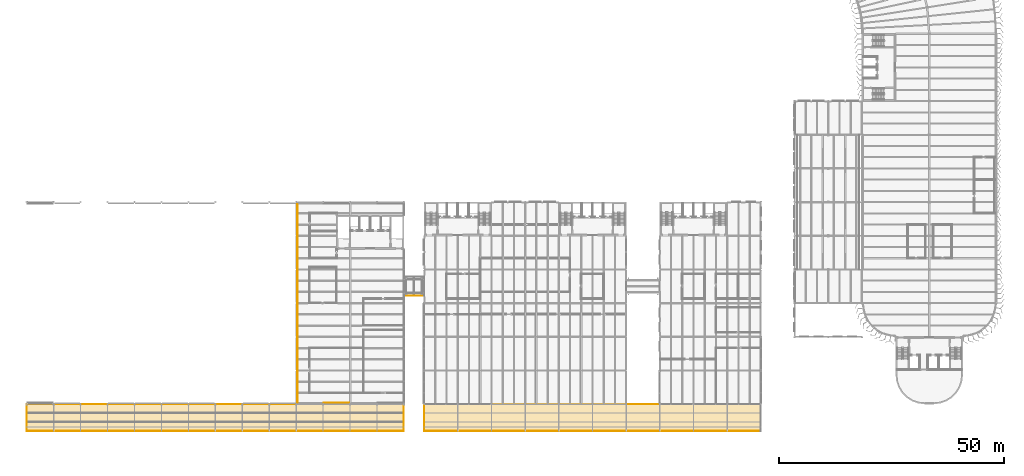
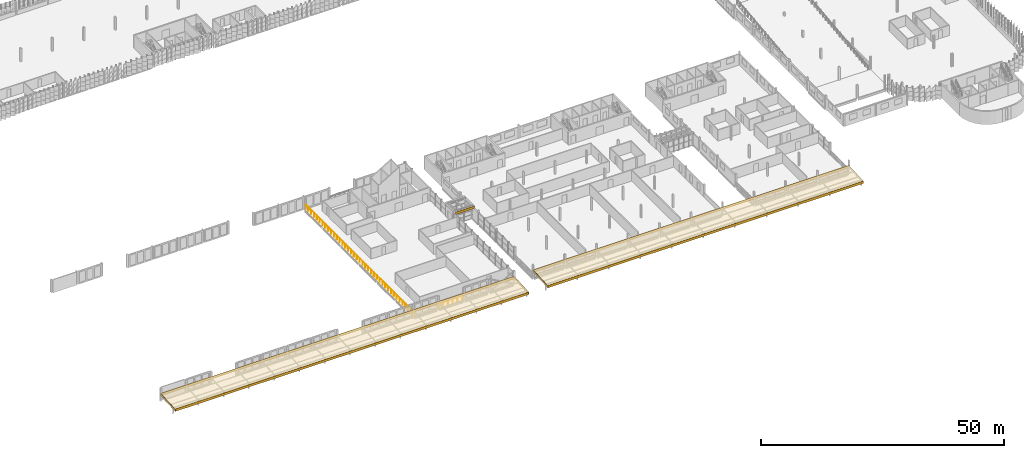
# One storey, part 194 of 214: 10 coverings, 2 railings.
"""IFC4 building model written with IfcOpenShell, lengths in metres."""

import ifcopenshell
import ifcopenshell.guid

model = None  # the IFC model being written
_history = None  # IfcOwnerHistory: only IFC2X3 demands one
_inside = {}  # id of a spatial element -> (the spatial element, [elements in it])
_under = {}  # id of a project, library or spatial element -> (it, [spatial elements below it])
_declared = {}  # id of a project -> (the project, [libraries it declares])
_typed = {}  # id of a type object -> (the type object, [elements of that type])
_made_of = {}  # id of a material, layer set ... -> (it, [elements and type objects made of it])


def new_model(schema):
    """Start an empty IFC model of exactly this schema.

    Asked for "IFC4X3", IfcOpenShell would pick the latest addendum, in which some entities
    have other attributes; the version numbers below select the first issue.
    IFC2X3 requires an IfcOwnerHistory on every rooted entity: one is made here for all.
    """
    global model, _history
    if schema == "IFC4X3":
        model = ifcopenshell.file(schema_version=(4, 3, 0, 0))
    else:
        model = ifcopenshell.file(schema=schema)
    _inside.clear()
    _under.clear()
    _declared.clear()
    _typed.clear()
    _made_of.clear()
    _history = None
    if model.schema == "IFC2X3":
        org = make("IfcOrganization", Name="unknown")
        user = make(
            "IfcPersonAndOrganization",
            ThePerson=make("IfcPerson", FamilyName="unknown"),
            TheOrganization=org,
        )
        app = make(
            "IfcApplication",
            ApplicationDeveloper=org,
            Version="unknown",
            ApplicationFullName="unknown",
            ApplicationIdentifier="unknown",
        )
        _history = make(
            "IfcOwnerHistory",
            OwningUser=user,
            OwningApplication=app,
            ChangeAction="ADDED",
            CreationDate=0,
        )
    return model


def make(cls, **values):
    """One entity of the class cls with the attributes given. An attribute that is None is left unset."""
    return model.create_entity(
        cls, **{name: value for name, value in values.items() if value is not None}
    )


def rooted(cls, **values):
    """An entity with a GlobalId (a new one), such as an element, a storey or a relation."""
    return make(cls, GlobalId=ifcopenshell.guid.new(), OwnerHistory=_history, **values)


def si_unit(unit_type, name, prefix=None):
    """IfcSIUnit, for example si_unit("LENGTHUNIT", "METRE", prefix="MILLI")."""
    return make("IfcSIUnit", UnitType=unit_type, Prefix=prefix, Name=name)


def assignment(units):
    """IfcUnitAssignment: the units of a project."""
    return None if units is None else make("IfcUnitAssignment", Units=units)


def point(xyz):
    """IfcCartesianPoint."""
    return None if xyz is None else make("IfcCartesianPoint", Coordinates=xyz)


def direction(xyz):
    """IfcDirection."""
    return None if xyz is None else make("IfcDirection", DirectionRatios=xyz)


def frame(location, z_axis=None, x_axis=None):
    """IfcAxis2Placement3D, a coordinate frame: its origin and axes. An axis left out is left unset."""
    return make(
        "IfcAxis2Placement3D",
        Location=point(location),
        Axis=direction(z_axis),
        RefDirection=direction(x_axis),
    )


def frame_2d(location, x_axis=None):
    """IfcAxis2Placement2D, a coordinate frame in the plane: its origin and x axis."""
    return make(
        "IfcAxis2Placement2D", Location=point(location), RefDirection=direction(x_axis)
    )


def origin():
    """The frame at (0, 0, 0) with its axes left unset."""
    return frame((0.0, 0.0, 0.0))


def origin_2d():
    """The frame at (0, 0) in the plane with its x axis left unset."""
    return frame_2d((0.0, 0.0))


def place(relative_to, where):
    """IfcLocalPlacement: puts the frame where relative to a parent placement (None: the world)."""
    return make(
        "IfcLocalPlacement", PlacementRelTo=relative_to, RelativePlacement=where
    )


def context(
    kind, dimensions, precision=None, world=None, true_north=None, identifier=None
):
    """IfcGeometricRepresentationContext, for example the 3D "Model" context."""
    return make(
        "IfcGeometricRepresentationContext",
        ContextIdentifier=identifier,
        ContextType=kind,
        CoordinateSpaceDimension=dimensions,
        Precision=precision,
        WorldCoordinateSystem=world,
        TrueNorth=true_north,
    )


def subcontext(parent, identifier, kind, view, scale=None):
    """IfcGeometricRepresentationSubContext, for example "Body" below "Model"."""
    return make(
        "IfcGeometricRepresentationSubContext",
        ContextIdentifier=identifier,
        ContextType=kind,
        ParentContext=parent,
        TargetScale=scale,
        TargetView=view,
    )


def project(units=None, contexts=None):
    """IfcProject with its units and contexts."""
    return rooted(
        "IfcProject",
        Name="project",
        RepresentationContexts=contexts,
        UnitsInContext=assignment(units),
    )


def spatial(cls, under=None, at=None, **own):
    """A site, building, storey or space (cls), placed at a placement, below another one or the project."""
    s = rooted(cls, ObjectPlacement=at, **own)
    if under is not None:
        _under.setdefault(under.id(), (under, []))[1].append(s)
    return s


def polyline(points):
    """IfcPolyline through the points."""
    return make("IfcPolyline", Points=[point(p) for p in points])


def profile(cls, at=None, kind="AREA", **sizes):
    """A parametric profile (cls). Its sizes go by their IFC names, for example OverallWidth=200.0."""
    return make(cls, ProfileType=kind, Position=at, **sizes)


def circle(**sizes):
    """IfcCircleProfileDef."""
    return profile("IfcCircleProfileDef", **sizes)


def outline(outer, holes=None, kind="AREA"):
    """IfcArbitraryClosedProfileDef: a profile drawn as a closed curve; with holes, ...WithVoids."""
    if holes is None:
        return make("IfcArbitraryClosedProfileDef", ProfileType=kind, OuterCurve=outer)
    return make(
        "IfcArbitraryProfileDefWithVoids",
        ProfileType=kind,
        OuterCurve=outer,
        InnerCurves=holes,
    )


def extrude(swept, where, along, depth):
    """IfcExtrudedAreaSolid: the profile swept, set in the frame where, extruded along a direction by depth."""
    return make(
        "IfcExtrudedAreaSolid",
        SweptArea=swept,
        Position=where,
        ExtrudedDirection=direction(along),
        Depth=depth,
    )


def shape(context_of_items, identifier, shape_type, items):
    """IfcShapeRepresentation: the items that make up one representation, for example the "Body"."""
    return make(
        "IfcShapeRepresentation",
        ContextOfItems=context_of_items,
        RepresentationIdentifier=identifier,
        RepresentationType=shape_type,
        Items=items,
    )


def material(Name=None, Category=None):
    """IfcMaterial."""
    return make("IfcMaterial", Name=Name, Category=Category)


def layer(
    of_material, thickness, ventilated=None, Name=None, Category=None, Priority=None
):
    """IfcMaterialLayer: one layer of a wall or slab, of a material (None: an air gap)."""
    return make(
        "IfcMaterialLayer",
        Material=of_material,
        LayerThickness=thickness,
        IsVentilated=ventilated,
        Name=Name,
        Category=Category,
        Priority=Priority,
    )


def layer_set(layers, Name=None):
    """IfcMaterialLayerSet."""
    return make("IfcMaterialLayerSet", MaterialLayers=layers, LayerSetName=Name)


def made_of(thing, what):
    """Note that an element or type object is made of a material, layer set ...; save() writes the relation."""
    if what is not None:
        _made_of.setdefault(what.id(), (what, []))[1].append(thing)
    return thing


def type_object(cls, material=None, **own):
    """A type object (cls), such as IfcWallType, which elements share."""
    return made_of(rooted(cls, **own), material)


def element(
    cls,
    number,
    at=None,
    inside=None,
    cuts=None,
    type_object=None,
    material=None,
    context=None,
    identifier="Body",
    shape_type=None,
    held_by="IfcProductDefinitionShape",
    body=None,
    shapes=None,
    **own,
):
    """One element of the class cls, such as IfcWall. Its Tag is "e" and its number.

    at: its placement. inside: the storey or other place that contains it. cuts: it is an
    opening in that element (IfcRelVoidsElement). A single representation is given by context,
    identifier, shape_type and body (its items); several are given by shapes. held_by: the class
    of the entity that holds the representations. save() writes the other relations.
    """
    e = rooted(cls, Tag="e%d" % number, ObjectPlacement=at, **own)
    if body is not None:
        shapes = [shape(context, identifier, shape_type, body)]
    if shapes is not None:
        e.Representation = make(held_by, Representations=shapes)
    if inside is not None:
        _inside.setdefault(inside.id(), (inside, []))[1].append(e)
    if cuts is not None:
        rooted(
            "IfcRelVoidsElement", RelatingBuildingElement=cuts, RelatedOpeningElement=e
        )
    if type_object is not None:
        _typed.setdefault(type_object.id(), (type_object, []))[1].append(e)
    return made_of(e, material)


def aggregate(whole, parts):
    """IfcRelAggregates: a whole, such as a stair, and the parts it consists of."""
    return rooted("IfcRelAggregates", RelatingObject=whole, RelatedObjects=parts)


def save(model, path):
    """Write the relations noted so far, then the file.

    IfcRelAggregates (storeys below a building ...), IfcRelContainedInSpatialStructure (elements
    in a storey), IfcRelDefinesByType, IfcRelAssociatesMaterial and IfcRelDeclares: one each for
    every whole, place, type object, material and project.
    """
    for whole, parts in _under.values():
        aggregate(whole, parts)
    for where, things in _inside.values():
        rooted(
            "IfcRelContainedInSpatialStructure",
            RelatedElements=things,
            RelatingStructure=where,
        )
    for kind, things in _typed.values():
        rooted("IfcRelDefinesByType", RelatedObjects=things, RelatingType=kind)
    for what, things in _made_of.values():
        rooted("IfcRelAssociatesMaterial", RelatedObjects=things, RelatingMaterial=what)
    for by, libraries in _declared.values():
        rooted("IfcRelDeclares", RelatingContext=by, RelatedDefinitions=libraries)
    model.write(path)


model = new_model("IFC4")

# Units and contexts
model_context = context("Model", 3, precision=1e-05, world=origin(), true_north=direction((0.0, 1.0)))
body_context = subcontext(model_context, "Body", "Model", "MODEL_VIEW")
ifc_project = project(units=[si_unit("LENGTHUNIT", "METRE"), si_unit("AREAUNIT", "SQUARE_METRE"), si_unit("VOLUMEUNIT", "CUBIC_METRE"), si_unit("PLANEANGLEUNIT", "RADIAN"), si_unit("MASSUNIT", "GRAM", prefix="KILO")], contexts=[model_context])

# Site, building, storey
site_placement = place(None, origin())
site = spatial("IfcSite", under=ifc_project, at=site_placement, CompositionType="ELEMENT")
building_placement = place(site_placement, origin())
building = spatial("IfcBuilding", under=site, at=building_placement, Name="Parallax Yard Mobility Hub", CompositionType="ELEMENT")
storey_placement = place(building_placement, frame((0.0, 0.0, 3.300048828125)))
storey = spatial("IfcBuildingStorey", under=building, at=storey_placement, Name="L01", CompositionType="ELEMENT", Elevation=3.300048828125)

# Railings
ifc_material_1 = material(Name="Steel ASTM A36", Category="steel")
railing_type = type_object("IfcRailingType", Name="Mezzanine edge guard 1100", PredefinedType="GUARDRAIL", material=ifc_material_1)
railing_1_placement = place(storey_placement, frame((75.1865234375, 7.800048828125, 0.0)))
element("IfcRailing", 1, at=railing_1_placement, inside=storey, type_object=railing_type, Name="Bus deck mezzanine south edge guard level L01", PredefinedType="GUARDRAIL", context=body_context, shape_type="SweptSolid", body=[
    extrude(circle(Radius=0.02392578125, at=origin_2d()), frame((0.0, 0.0, 1.076171875), z_axis=(1.0, 0.0, 0.0), x_axis=(0.0, 1.0, 0.0)), (0.0, 0.0, 1.0), 5.626953125),
    extrude(circle(Radius=0.02099609375, at=origin_2d()), origin(), (0.0, 0.0, 1.0), 1.052001953125),
    extrude(circle(Radius=0.02099609375, at=origin_2d()), frame((1.12548828125, 0.0, 0.0)), (0.0, 0.0, 1.0), 1.052001953125),
    extrude(circle(Radius=0.02099609375, at=origin_2d()), frame((2.250732421875, 0.0, 0.0)), (0.0, 0.0, 1.0), 1.052001953125),
    extrude(circle(Radius=0.02099609375, at=origin_2d()), frame((3.376220703125, 0.0, 0.0)), (0.0, 0.0, 1.0), 1.052001953125),
    extrude(circle(Radius=0.02099609375, at=origin_2d()), frame((4.50146484375, 0.0, 0.0)), (0.0, 0.0, 1.0), 1.052001953125),
    extrude(circle(Radius=0.02099609375, at=origin_2d()), frame((5.626953125, 0.0, 0.0)), (0.0, 0.0, 1.0), 1.052001953125),
])
railing_2_placement = place(storey_placement, frame((69.300048828125, 7.6865234375, 0.0)))
element("IfcRailing", 2, at=railing_2_placement, inside=storey, type_object=railing_type, Name="Bus deck mezzanine west edge guard level L01", PredefinedType="GUARDRAIL", context=body_context, shape_type="SweptSolid", body=[
    extrude(circle(Radius=0.02392578125, at=origin_2d()), frame((0.0, 0.0, 1.076171875), z_axis=(0.0, 1.0, 0.0), x_axis=(-1.0, 0.0, 0.0)), (0.0, 0.0, 1.0), 44.626953125),
    extrude(circle(Radius=0.02099609375, at=origin_2d()), origin(), (0.0, 0.0, 1.0), 1.052001953125),
    extrude(circle(Radius=0.02099609375, at=origin_2d()), frame((0.0, 1.17431640625, 0.0)), (0.0, 0.0, 1.0), 1.052001953125),
    extrude(circle(Radius=0.02099609375, at=origin_2d()), frame((0.0, 2.348876953125, 0.0)), (0.0, 0.0, 1.0), 1.052001953125),
    extrude(circle(Radius=0.02099609375, at=origin_2d()), frame((0.0, 3.523193359375, 0.0)), (0.0, 0.0, 1.0), 1.052001953125),
    extrude(circle(Radius=0.02099609375, at=origin_2d()), frame((0.0, 4.697509765625, 0.0)), (0.0, 0.0, 1.0), 1.052001953125),
    extrude(circle(Radius=0.02099609375, at=origin_2d()), frame((0.0, 5.8720703125, 0.0)), (0.0, 0.0, 1.0), 1.052001953125),
    extrude(circle(Radius=0.02099609375, at=origin_2d()), frame((0.0, 7.04638671875, 0.0)), (0.0, 0.0, 1.0), 1.052001953125),
    extrude(circle(Radius=0.02099609375, at=origin_2d()), frame((0.0, 8.220703125, 0.0)), (0.0, 0.0, 1.0), 1.052001953125),
    extrude(circle(Radius=0.02099609375, at=origin_2d()), frame((0.0, 9.395263671875, 0.0)), (0.0, 0.0, 1.0), 1.052001953125),
    extrude(circle(Radius=0.02099609375, at=origin_2d()), frame((0.0, 10.569580078125, 0.0)), (0.0, 0.0, 1.0), 1.052001953125),
    extrude(circle(Radius=0.02099609375, at=origin_2d()), frame((0.0, 11.743896484375, 0.0)), (0.0, 0.0, 1.0), 1.052001953125),
    extrude(circle(Radius=0.02099609375, at=origin_2d()), frame((0.0, 12.918212890625, 0.0)), (0.0, 0.0, 1.0), 1.052001953125),
    extrude(circle(Radius=0.02099609375, at=origin_2d()), frame((0.0, 14.0927734375, 0.0)), (0.0, 0.0, 1.0), 1.052001953125),
    extrude(circle(Radius=0.02099609375, at=origin_2d()), frame((0.0, 15.26708984375, 0.0)), (0.0, 0.0, 1.0), 1.052001953125),
    extrude(circle(Radius=0.02099609375, at=origin_2d()), frame((0.0, 16.44140625, 0.0)), (0.0, 0.0, 1.0), 1.052001953125),
    extrude(circle(Radius=0.02099609375, at=origin_2d()), frame((0.0, 17.615966796875, 0.0)), (0.0, 0.0, 1.0), 1.052001953125),
    extrude(circle(Radius=0.02099609375, at=origin_2d()), frame((0.0, 18.790283203125, 0.0)), (0.0, 0.0, 1.0), 1.052001953125),
    extrude(circle(Radius=0.02099609375, at=origin_2d()), frame((0.0, 19.964599609375, 0.0)), (0.0, 0.0, 1.0), 1.052001953125),
    extrude(circle(Radius=0.02099609375, at=origin_2d()), frame((0.0, 21.13916015625, 0.0)), (0.0, 0.0, 1.0), 1.052001953125),
    extrude(circle(Radius=0.02099609375, at=origin_2d()), frame((0.0, 22.3134765625, 0.0)), (0.0, 0.0, 1.0), 1.052001953125),
    extrude(circle(Radius=0.02099609375, at=origin_2d()), frame((0.0, 23.48779296875, 0.0)), (0.0, 0.0, 1.0), 1.052001953125),
    extrude(circle(Radius=0.02099609375, at=origin_2d()), frame((0.0, 24.662353515625, 0.0)), (0.0, 0.0, 1.0), 1.052001953125),
    extrude(circle(Radius=0.02099609375, at=origin_2d()), frame((0.0, 25.836669921875, 0.0)), (0.0, 0.0, 1.0), 1.052001953125),
    extrude(circle(Radius=0.02099609375, at=origin_2d()), frame((0.0, 27.010986328125, 0.0)), (0.0, 0.0, 1.0), 1.052001953125),
    extrude(circle(Radius=0.02099609375, at=origin_2d()), frame((0.0, 28.185546875, 0.0)), (0.0, 0.0, 1.0), 1.052001953125),
    extrude(circle(Radius=0.02099609375, at=origin_2d()), frame((0.0, 29.35986328125, 0.0)), (0.0, 0.0, 1.0), 1.052001953125),
    extrude(circle(Radius=0.02099609375, at=origin_2d()), frame((0.0, 30.5341796875, 0.0)), (0.0, 0.0, 1.0), 1.052001953125),
    extrude(circle(Radius=0.02099609375, at=origin_2d()), frame((0.0, 31.708740234375, 0.0)), (0.0, 0.0, 1.0), 1.052001953125),
    extrude(circle(Radius=0.02099609375, at=origin_2d()), frame((0.0, 32.883056640625, 0.0)), (0.0, 0.0, 1.0), 1.052001953125),
    extrude(circle(Radius=0.02099609375, at=origin_2d()), frame((0.0, 34.057373046875, 0.0)), (0.0, 0.0, 1.0), 1.052001953125),
    extrude(circle(Radius=0.02099609375, at=origin_2d()), frame((0.0, 35.231689453125, 0.0)), (0.0, 0.0, 1.0), 1.052001953125),
    extrude(circle(Radius=0.02099609375, at=origin_2d()), frame((0.0, 36.40625, 0.0)), (0.0, 0.0, 1.0), 1.052001953125),
    extrude(circle(Radius=0.02099609375, at=origin_2d()), frame((0.0, 37.58056640625, 0.0)), (0.0, 0.0, 1.0), 1.052001953125),
    extrude(circle(Radius=0.02099609375, at=origin_2d()), frame((0.0, 38.7548828125, 0.0)), (0.0, 0.0, 1.0), 1.052001953125),
    extrude(circle(Radius=0.02099609375, at=origin_2d()), frame((0.0, 39.929443359375, 0.0)), (0.0, 0.0, 1.0), 1.052001953125),
    extrude(circle(Radius=0.02099609375, at=origin_2d()), frame((0.0, 41.103759765625, 0.0)), (0.0, 0.0, 1.0), 1.052001953125),
    extrude(circle(Radius=0.02099609375, at=origin_2d()), frame((0.0, 42.278076171875, 0.0)), (0.0, 0.0, 1.0), 1.052001953125),
    extrude(circle(Radius=0.02099609375, at=origin_2d()), frame((0.0, 43.45263671875, 0.0)), (0.0, 0.0, 1.0), 1.052001953125),
    extrude(circle(Radius=0.02099609375, at=origin_2d()), frame((0.0, 44.626953125, 0.0)), (0.0, 0.0, 1.0), 1.052001953125),
])

# Coverings
ifc_material_2 = material(Name="Aluminium composite fascia panel", Category="aluminium")
ifc_layer_1 = layer(ifc_material_2, 0.0400390625)
ifc_layer_set_1 = layer_set([ifc_layer_1], Name="Roof fascia 600")
covering_type_1 = type_object("IfcCoveringType", Name="Roof fascia 600", PredefinedType="CLADDING", material=ifc_layer_set_1)
covering_1_placement = place(storey_placement, frame((93.0, 31.64990234375, 3.368896484375), z_axis=(0.0, 1.0, 0.0), x_axis=(1.0, 0.0, 0.0)))
element("IfcCovering", 3, at=covering_1_placement, inside=storey, type_object=covering_type_1, Name="Fascia on roof edge BR-BR1-RF edge 1", PredefinedType="CLADDING", context=body_context, shape_type="SweptSolid", body=[
    extrude(outline(polyline([(0.0, 0.0), (4.5, 0.0), (4.5, 0.599853515625), (0.0, 0.599853515625), (0.0, 0.0)])), origin(), (0.0, 0.0, -1.0), 0.0400390625),
])
covering_2_placement = place(storey_placement, frame((9.0, 1.5400390625, 1.58544921875), z_axis=(0.0, 1.0, 0.0), x_axis=(1.0, 0.0, 0.0)))
element("IfcCovering", 4, at=covering_2_placement, inside=storey, type_object=covering_type_1, Name="Fascia on roof edge AR-V1-PL edge 1", PredefinedType="CLADDING", context=body_context, shape_type="SweptSolid", body=[
    extrude(outline(polyline([(0.0, 0.0), (84.0, 0.0), (84.0, 0.60009765625), (0.0, 0.60009765625), (0.0, 0.0)])), origin(), (0.0, 0.0, -1.0), 0.0400390625),
])
covering_3_placement = place(storey_placement, frame((92.9599609375, 1.5, 1.58544921875), z_axis=(-1.0, 0.0, 0.0), x_axis=(0.0, 0.998751933465, 0.049945724537)))
element("IfcCovering", 5, at=covering_3_placement, inside=storey, type_object=covering_type_1, Name="Fascia on roof edge AR-V1-PL edge 2", PredefinedType="CLADDING", context=body_context, shape_type="SweptSolid", body=[
    extrude(outline(polyline([(0.0, 0.0), (6.007497756908378, 0.0), (5.977525444673835, 0.5993486944476131), (-0.0299723122345425, 0.5993486944476131), (0.0, 0.0)])), origin(), (0.0, 0.0, -1.0), 0.0400390625),
])
covering_4_placement = place(storey_placement, frame((93.0, 7.5, 1.885498046875), z_axis=(0.0, -1.0, 0.0), x_axis=(-1.0, 0.0, 0.0)))
element("IfcCovering", 6, at=covering_4_placement, inside=storey, type_object=covering_type_1, Name="Fascia on roof edge AR-V1-PL edge 3", PredefinedType="CLADDING", context=body_context, shape_type="SweptSolid", body=[
    extrude(outline(polyline([(0.0, 0.0), (84.0, 0.0), (84.0, 0.60009765625), (0.0, 0.60009765625), (0.0, 0.0)])), origin(), (0.0, 0.0, -1.0), 0.0400390625),
])
covering_5_placement = place(storey_placement, frame((9.0400390625, 7.5, 1.885498046875), z_axis=(1.0, 0.0, 0.0), x_axis=(0.0, -0.998751933465, -0.049945724537)))
element("IfcCovering", 7, at=covering_5_placement, inside=storey, type_object=covering_type_1, Name="Fascia on roof edge AR-V1-PL edge 4", PredefinedType="CLADDING", context=body_context, shape_type="SweptSolid", body=[
    extrude(outline(polyline([(0.0, 0.0), (6.007497756908378, 0.0), (6.03747006914292, 0.599348694447613), (0.0299723122345425, 0.5993486944476131), (0.0, 0.0)])), origin(), (0.0, 0.0, -1.0), 0.0400390625),
])
for number, where, z_axis, x_axis, name in (
    (8, (97.5, 1.5400390625, 1.630615234375), (0.0, 1.0, 0.0), (1.0, 0.0, 0.0), "Fascia on roof edge AR-V6-PL edge 1"),
    (9, (172.5, 7.5, 1.9306640625), (0.0, -1.0, 0.0), (-1.0, 0.0, 0.0), "Fascia on roof edge AR-V6-PL edge 3"),
):
    element("IfcCovering", number, at=place(storey_placement, frame(where, z_axis=z_axis, x_axis=x_axis)), inside=storey, type_object=covering_type_1, Name=name, PredefinedType="CLADDING", context=body_context, shape_type="SweptSolid", body=[
        extrude(outline(polyline([(0.0, 0.0), (75.0, 0.0), (75.0, 0.60009765625), (0.0, 0.60009765625), (0.0, 0.0)])), origin(), (0.0, 0.0, -1.0), 0.0400390625),
    ])
covering_6_placement = place(storey_placement, frame((97.5400390625, 7.5, 1.9306640625), z_axis=(1.0, 0.0, 0.0), x_axis=(0.0, -0.998751933465, -0.049945724537)))
element("IfcCovering", 10, at=covering_6_placement, inside=storey, type_object=covering_type_1, Name="Fascia on roof edge AR-V6-PL edge 4", PredefinedType="CLADDING", context=body_context, shape_type="SweptSolid", body=[
    extrude(outline(polyline([(0.0, 0.0), (6.007497756908378, 0.0), (6.03747006914292, 0.599348694447613), (0.0299723122345425, 0.5993486944476131), (0.0, 0.0)])), origin(), (0.0, 0.0, -1.0), 0.0400390625),
])
ifc_material_3 = material(Name="Aluminium-zinc coated standing seam sheeting", Category="aluminium")
ifc_layer_2 = layer(ifc_material_3, 0.0400390625)
ifc_layer_set_2 = layer_set([ifc_layer_2], Name="Standing seam roof sheeting 40")
covering_type_2 = type_object("IfcCoveringType", Name="Standing seam roof sheeting 40", PredefinedType="ROOFING", material=ifc_layer_set_2)
covering_7_placement = place(storey_placement, frame((9.0, 1.5, 1.62548828125), z_axis=(0.0, -0.049945724537, 0.998751933465), x_axis=(1.0, 0.0, 0.0)))
element("IfcCovering", 11, at=covering_7_placement, inside=storey, type_object=covering_type_2, Name="Roof sheeting on roof plate AR-V1-PL", PredefinedType="ROOFING", context=body_context, shape_type="SweptSolid", body=[
    extrude(outline(polyline([(0.0, 0.0), (84.0, 0.0), (84.0, 6.007497756908378), (0.0, 6.007497756908378), (0.0, 0.0)])), origin(), (0.0, 0.0, -1.0), 0.0400390625),
])
covering_8_placement = place(storey_placement, frame((97.5, 1.5, 1.670654296875), z_axis=(0.0, -0.049905186472, 0.998753959874), x_axis=(1.0, 0.0, 0.0)))
element("IfcCovering", 12, at=covering_8_placement, inside=storey, type_object=covering_type_2, Name="Roof sheeting on roof plate AR-V6-PL", PredefinedType="ROOFING", context=body_context, shape_type="SweptSolid", body=[
    extrude(outline(polyline([(0.0, 0.0), (75.0, 0.0), (75.0, 6.007485568076461), (0.0, 6.007485568076461), (0.0, 0.0)])), origin(), (0.0, 0.0, -1.0), 0.0400390625),
])

save(model, "model.ifc")
